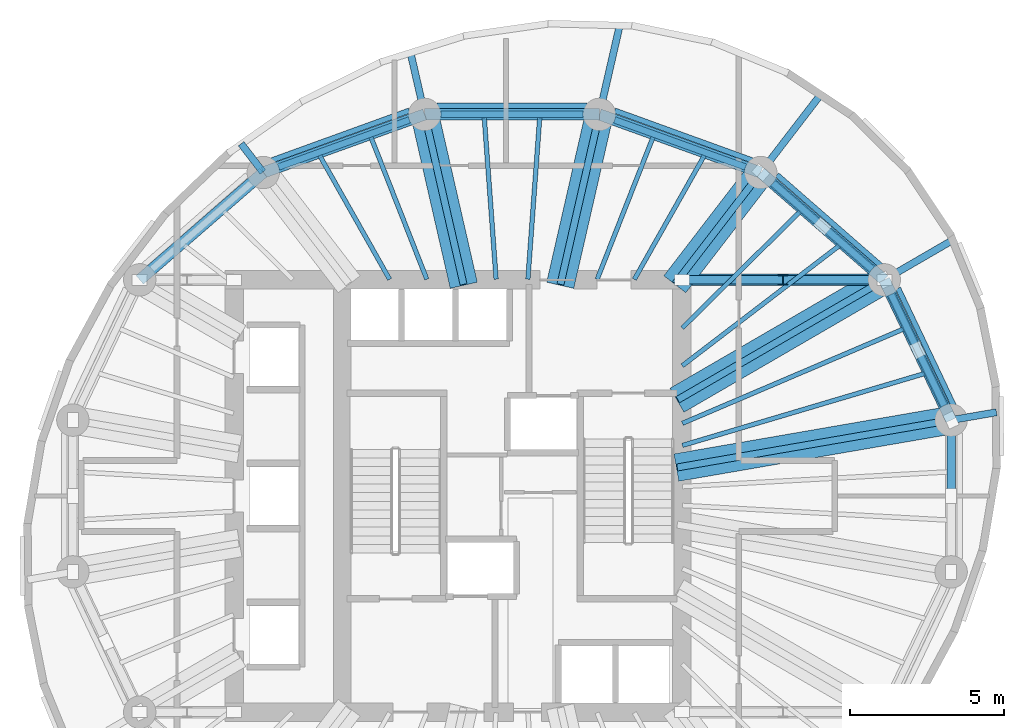
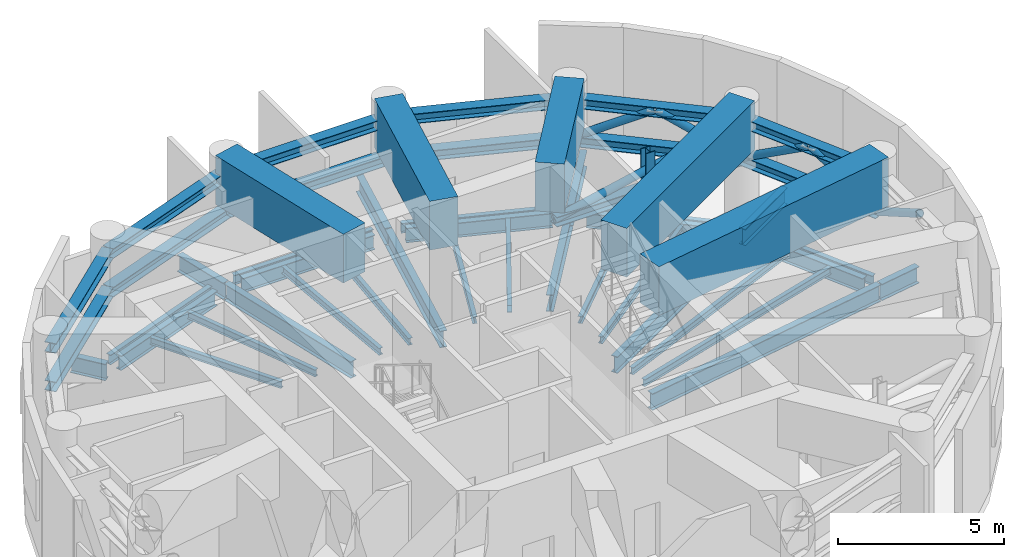
# One storey, part 3 of 8: 36 beams, 20 members.
"""IFC4 building model written with IfcOpenShell, lengths in metres."""

from ifc_helpers import new_model, si_unit, direction, frame, origin, origin_2d, place, context, subcontext, project, spatial, rectangle, hollow_circle, i_section, extrude, material, material_profile, profile_set, type_object, element, save


model = new_model("IFC4")

# Units and contexts
model_context = context("Model", 3, precision=1e-05, world=origin(), true_north=direction((0.0, 1.0)))
body_context = subcontext(model_context, "Body", "Model", "MODEL_VIEW")
ifc_project = project(units=[si_unit("LENGTHUNIT", "METRE"), si_unit("AREAUNIT", "SQUARE_METRE"), si_unit("VOLUMEUNIT", "CUBIC_METRE"), si_unit("PLANEANGLEUNIT", "RADIAN"), si_unit("MASSUNIT", "GRAM", prefix="KILO")], contexts=[model_context])

# Site, building, storey
site_placement = place(None, origin())
site = spatial("IfcSite", under=ifc_project, at=site_placement, CompositionType="ELEMENT")
building_placement = place(site_placement, origin())
building = spatial("IfcBuilding", under=site, at=building_placement, Name="Veldorim Arch Residences", CompositionType="ELEMENT")
storey_placement = place(building_placement, frame((0.0, 0.0, 158.56005859375)))
storey = spatial("IfcBuildingStorey", under=building, at=storey_placement, Name="L47", CompositionType="ELEMENT", Elevation=158.56005859375)

# Beams
ifc_material_1 = material(Name="Concrete C50/60", Category="concrete")
ifc_material_profile_1 = material_profile(ifc_material_1, rectangle(XDim=0.89990234375, YDim=1.800048828125, at=origin_2d()), Name="RC_RECT_900x1800")
ifc_profile_set_1 = profile_set([ifc_material_profile_1], Name="Concrete C50/60")
beam_type_1 = type_object("IfcBeamType", Name="Reinforced Concrete TRANSFER GIRDER RC_RECT_900x1800", PredefinedType="USERDEFINED", material=ifc_profile_set_1)
beam_1_placement = place(storey_placement, frame((37.322509765625, 24.919921875, 3.579833984375), z_axis=(0.985389793052, 0.170314285219, 0.0), x_axis=(-0.170314285219, 0.985389793052, 0.0)))
element("IfcBeam", 1, at=beam_1_placement, inside=storey, type_object=beam_type_1, Name="L47 zone-setback radial transfer girder 01", ObjectType="TRANSFER GIRDER", PredefinedType="USERDEFINED", context=body_context, shape_type="SweptSolid", body=[
    extrude(rectangle(XDim=0.89990234375, YDim=1.800048828125, at=origin_2d()), origin(), (0.0, 0.0, 1.0), 9.03076171875),
])
beam_2_placement = place(storey_placement, frame((37.34423828125, 27.10302734375, 3.579833984375), z_axis=(0.864798199437, 0.502119581625, 0.0), x_axis=(-0.502119581625, 0.864798199437, 0.0)))
element("IfcBeam", 2, at=beam_2_placement, inside=storey, type_object=beam_type_1, Name="L47 zone-setback radial transfer girder 02", ObjectType="TRANSFER GIRDER", PredefinedType="USERDEFINED", context=body_context, shape_type="SweptSolid", body=[
    extrude(rectangle(XDim=0.89990234375, YDim=1.800048828125, at=origin_2d()), origin(), (0.0, 0.0, 1.0), 7.761474609375),
])
beam_3_placement = place(storey_placement, frame((37.27294921875, 30.857421875, 3.579833984375), z_axis=(0.609573781427, 0.792729339054, 0.0), x_axis=(-0.792729339054, 0.609573781427, 0.0)))
element("IfcBeam", 3, at=beam_3_placement, inside=storey, type_object=beam_type_1, Name="L47 zone-setback radial transfer girder 03", ObjectType="TRANSFER GIRDER", PredefinedType="USERDEFINED", context=body_context, shape_type="SweptSolid", body=[
    extrude(rectangle(XDim=0.89990234375, YDim=1.800048828125, at=origin_2d()), origin(), (0.0, 0.0, 1.0), 4.5654296875),
])
for number, where, z_axis, x_axis, name in (
    (4, (33.56201171875, 30.824462890625, 3.579833984375), (0.223169286535, 0.974779703086, 0.0), (-0.974779703086, 0.223169286535, 0.0), "L47 zone-setback radial transfer girder 04"),
    (5, (30.43798828125, 30.824462890625, 3.579833984375), (-0.223169286535, 0.974779703086, 0.0), (-0.974779703086, -0.223169286535, 0.0), "L47 zone-setback radial transfer girder 05"),
):
    element("IfcBeam", number, at=place(storey_placement, frame(where, z_axis=z_axis, x_axis=x_axis)), inside=storey, type_object=beam_type_1, Name=name, ObjectType="TRANSFER GIRDER", PredefinedType="USERDEFINED", context=body_context, shape_type="SweptSolid", body=[
        extrude(rectangle(XDim=0.89990234375, YDim=1.800048828125, at=origin_2d()), origin(), (0.0, 0.0, 1.0), 5.676513671875),
    ])
ifc_material_2 = material(Name="Steel S355", Category="steel")
ifc_material_profile_2 = material_profile(ifc_material_2, i_section(OverallWidth=0.2099609375, OverallDepth=0.53662109375, WebThickness=0.0107421875, FlangeThickness=0.017333984375, at=origin_2d()), Name="UB533x210x101")
ifc_profile_set_2 = profile_set([ifc_material_profile_2], Name="Steel S355")
beam_type_2 = type_object("IfcBeamType", Name="Structural Steel Beam UB533x210x101", PredefinedType="BEAM", material=ifc_profile_set_2)
beam_4_placement = place(storey_placement, frame((45.99560546875, 26.931884765625, -0.66845703125), z_axis=(-0.43028577851, 0.902692721147, 0.0), x_axis=(-0.902692721147, -0.43028577851, 0.0)))
element("IfcBeam", 6, at=beam_4_placement, inside=storey, type_object=beam_type_2, Name="L47 perimeter ring tie beam 01", PredefinedType="BEAM", context=body_context, shape_type="SweptSolid", body=[
    extrude(i_section(OverallWidth=0.2099609375, OverallDepth=0.53662109375, WebThickness=0.0107421875, FlangeThickness=0.017333984375, at=origin_2d()), origin(), (0.0, 0.0, 1.0), 3.98193359375),
])
beam_5_placement = place(storey_placement, frame((43.659912109375, 31.344482421875, -0.66845703125), z_axis=(-0.754810789581, 0.655942582802, 0.0), x_axis=(-0.655942582802, -0.754810789581, 0.0)))
element("IfcBeam", 7, at=beam_5_placement, inside=storey, type_object=beam_type_2, Name="L47 perimeter ring tie beam 02", PredefinedType="BEAM", context=body_context, shape_type="SweptSolid", body=[
    extrude(i_section(OverallWidth=0.2099609375, OverallDepth=0.53662109375, WebThickness=0.0107421875, FlangeThickness=0.017333984375, at=origin_2d()), origin(), (0.0, 0.0, 1.0), 4.249755859375),
])
beam_6_placement = place(storey_placement, frame((39.561767578125, 34.654296875, -0.66845703125), z_axis=(-0.940899155006, 0.338686846673, 0.0), x_axis=(-0.338686846673, -0.940899155006, 0.0)))
element("IfcBeam", 8, at=beam_6_placement, inside=storey, type_object=beam_type_2, Name="L47 perimeter ring tie beam 03", PredefinedType="BEAM", context=body_context, shape_type="SweptSolid", body=[
    extrude(i_section(OverallWidth=0.2099609375, OverallDepth=0.53662109375, WebThickness=0.0107421875, FlangeThickness=0.017333984375, at=origin_2d()), origin(), (0.0, 0.0, 1.0), 4.50537109375),
])
beam_7_placement = place(storey_placement, frame((34.3037109375, 36.35791015625, -0.66845703125), z_axis=(-1.0, 0.0, 0.0), x_axis=(0.0, -1.0, 0.0)))
element("IfcBeam", 9, at=beam_7_placement, inside=storey, type_object=beam_type_2, Name="L47 perimeter ring tie beam 04", PredefinedType="BEAM", context=body_context, shape_type="SweptSolid", body=[
    extrude(i_section(OverallWidth=0.2099609375, OverallDepth=0.53662109375, WebThickness=0.0107421875, FlangeThickness=0.017333984375, at=origin_2d()), origin(), (0.0, 0.0, 1.0), 4.607421875),
])
beam_8_placement = place(storey_placement, frame((28.67724609375, 36.18017578125, -0.66845703125), z_axis=(-0.940899155006, -0.338686846673, 0.0), x_axis=(0.338686846673, -0.940899155006, 0.0)))
element("IfcBeam", 10, at=beam_8_placement, inside=storey, type_object=beam_type_2, Name="L47 perimeter ring tie beam 05", PredefinedType="BEAM", context=body_context, shape_type="SweptSolid", body=[
    extrude(i_section(OverallWidth=0.2099609375, OverallDepth=0.53662109375, WebThickness=0.0107421875, FlangeThickness=0.017333984375, at=origin_2d()), origin(), (0.0, 0.0, 1.0), 4.50537109375),
])
ifc_material_3 = material(Name="Steel S355", Category="steel")
ifc_material_profile_3 = material_profile(ifc_material_3, i_section(OverallWidth=0.22900390625, OverallDepth=0.6123046875, WebThickness=0.011962890625, FlangeThickness=0.01953125, at=origin_2d()), Name="UB610x229x125")
ifc_profile_set_3 = profile_set([ifc_material_profile_3], Name="Steel S355")
beam_type_3 = type_object("IfcBeamType", Name="Structural Steel Beam UB610x229x125", PredefinedType="BEAM", material=ifc_profile_set_3)
beam_9_placement = place(storey_placement, frame((37.352294921875, 24.925048828125, -0.7060546875), z_axis=(0.985389398766, 0.170316566427, 0.0), x_axis=(-0.170316566427, 0.985389398766, 0.0)))
element("IfcBeam", 11, at=beam_9_placement, inside=storey, type_object=beam_type_3, Name="L47 radial floor girder 01", PredefinedType="BEAM", context=body_context, shape_type="SweptSolid", body=[
    extrude(i_section(OverallWidth=0.22900390625, OverallDepth=0.6123046875, WebThickness=0.011962890625, FlangeThickness=0.01953125, at=origin_2d()), origin(), (0.0, 0.0, 1.0), 8.98046875),
])
beam_10_placement = place(storey_placement, frame((46.2412109375, 26.46142578125, -0.7060546875), z_axis=(0.98537946954, 0.170374003328, 0.0), x_axis=(-0.170374003328, 0.98537946954, 0.0)))
element("IfcBeam", 12, at=beam_10_placement, inside=storey, type_object=beam_type_3, Name="L47 radial edge cantilever girder 01", PredefinedType="BEAM", context=body_context, shape_type="SweptSolid", body=[
    extrude(i_section(OverallWidth=0.22900390625, OverallDepth=0.6123046875, WebThickness=0.011962890625, FlangeThickness=0.01953125, at=origin_2d()), origin(), (0.0, 0.0, 1.0), 1.47021484375),
])
beam_11_placement = place(storey_placement, frame((37.370361328125, 27.1181640625, -0.7060546875), z_axis=(0.864793381443, 0.502127879542, 0.0), x_axis=(-0.502127879542, 0.864793381443, 0.0)))
element("IfcBeam", 13, at=beam_11_placement, inside=storey, type_object=beam_type_3, Name="L47 radial floor girder 02", PredefinedType="BEAM", context=body_context, shape_type="SweptSolid", body=[
    extrude(i_section(OverallWidth=0.22900390625, OverallDepth=0.6123046875, WebThickness=0.011962890625, FlangeThickness=0.01953125, at=origin_2d()), origin(), (0.0, 0.0, 1.0), 7.71142578125),
])
beam_12_placement = place(storey_placement, frame((44.073486328125, 31.01025390625, -0.7060546875), z_axis=(0.86478358533, 0.502144750588, 0.0), x_axis=(-0.502144750588, 0.86478358533, 0.0)))
element("IfcBeam", 14, at=beam_12_placement, inside=storey, type_object=beam_type_3, Name="L47 radial edge cantilever girder 02", PredefinedType="BEAM", context=body_context, shape_type="SweptSolid", body=[
    extrude(i_section(OverallWidth=0.22900390625, OverallDepth=0.6123046875, WebThickness=0.011962890625, FlangeThickness=0.01953125, at=origin_2d()), origin(), (0.0, 0.0, 1.0), 2.551513671875),
])
beam_13_placement = place(storey_placement, frame((37.291259765625, 30.881103515625, -0.7060546875), z_axis=(0.609559199361, 0.792740551804, 0.0), x_axis=(-0.792740551804, 0.609559199361, 0.0)))
element("IfcBeam", 15, at=beam_13_placement, inside=storey, type_object=beam_type_3, Name="L47 radial floor girder 03", PredefinedType="BEAM", context=body_context, shape_type="SweptSolid", body=[
    extrude(i_section(OverallWidth=0.22900390625, OverallDepth=0.6123046875, WebThickness=0.011962890625, FlangeThickness=0.01953125, at=origin_2d()), origin(), (0.0, 0.0, 1.0), 4.515380859375),
])
beam_14_placement = place(storey_placement, frame((40.068115234375, 34.492431640625, -0.7060546875), z_axis=(0.609539396636, 0.79275577825, 0.0), x_axis=(-0.79275577825, 0.609539396636, 0.0)))
element("IfcBeam", 16, at=beam_14_placement, inside=storey, type_object=beam_type_3, Name="L47 radial edge cantilever girder 03", PredefinedType="BEAM", context=body_context, shape_type="SweptSolid", body=[
    extrude(i_section(OverallWidth=0.22900390625, OverallDepth=0.6123046875, WebThickness=0.011962890625, FlangeThickness=0.01953125, at=origin_2d()), origin(), (0.0, 0.0, 1.0), 3.16748046875),
])
beam_15_placement = place(storey_placement, frame((33.56884765625, 30.853759765625, -0.7060546875), z_axis=(0.223119342184, 0.974791136164, 0.0), x_axis=(-0.974791136164, 0.223119342184, 0.0)))
element("IfcBeam", 17, at=beam_15_placement, inside=storey, type_object=beam_type_3, Name="L47 radial floor girder 04", PredefinedType="BEAM", context=body_context, shape_type="SweptSolid", body=[
    extrude(i_section(OverallWidth=0.22900390625, OverallDepth=0.6123046875, WebThickness=0.011962890625, FlangeThickness=0.01953125, at=origin_2d()), origin(), (0.0, 0.0, 1.0), 5.62646484375),
])
beam_16_placement = place(storey_placement, frame((34.833251953125, 36.37744140625, -0.7060546875), z_axis=(0.223141787616, 0.974785998371, 0.0), x_axis=(-0.974785998371, 0.223141787616, 0.0)))
element("IfcBeam", 18, at=beam_16_placement, inside=storey, type_object=beam_type_3, Name="L47 radial edge cantilever girder 04", PredefinedType="BEAM", context=body_context, shape_type="SweptSolid", body=[
    extrude(i_section(OverallWidth=0.22900390625, OverallDepth=0.6123046875, WebThickness=0.011962890625, FlangeThickness=0.01953125, at=origin_2d()), origin(), (0.0, 0.0, 1.0), 2.94873046875),
])
beam_17_placement = place(storey_placement, frame((30.43115234375, 30.853759765625, -0.7060546875), z_axis=(-0.223119342184, 0.974791136164, 0.0), x_axis=(-0.974791136164, -0.223119342184, 0.0)))
element("IfcBeam", 19, at=beam_17_placement, inside=storey, type_object=beam_type_3, Name="L47 radial floor girder 05", PredefinedType="BEAM", context=body_context, shape_type="SweptSolid", body=[
    extrude(i_section(OverallWidth=0.22900390625, OverallDepth=0.6123046875, WebThickness=0.011962890625, FlangeThickness=0.01953125, at=origin_2d()), origin(), (0.0, 0.0, 1.0), 5.62646484375),
])
beam_18_placement = place(storey_placement, frame((29.166748046875, 36.37744140625, -0.7060546875), z_axis=(-0.223162872011, 0.974781171626, 0.0), x_axis=(-0.974781171626, -0.223162872011, 0.0)))
element("IfcBeam", 20, at=beam_18_placement, inside=storey, type_object=beam_type_3, Name="L47 radial edge cantilever girder 05", PredefinedType="BEAM", context=body_context, shape_type="SweptSolid", body=[
    extrude(i_section(OverallWidth=0.22900390625, OverallDepth=0.6123046875, WebThickness=0.011962890625, FlangeThickness=0.01953125, at=origin_2d()), origin(), (0.0, 0.0, 1.0), 2.039306640625),
])
beam_19_placement = place(storey_placement, frame((23.931884765625, 34.492431640625, -0.7060546875), z_axis=(-0.609526895481, 0.792765390065, 0.0), x_axis=(-0.792765390065, -0.609526895481, 0.0)))
element("IfcBeam", 21, at=beam_19_placement, inside=storey, type_object=beam_type_3, Name="L47 radial edge cantilever girder 06", PredefinedType="BEAM", context=body_context, shape_type="SweptSolid", body=[
    extrude(i_section(OverallWidth=0.22900390625, OverallDepth=0.6123046875, WebThickness=0.011962890625, FlangeThickness=0.01953125, at=origin_2d()), origin(), (0.0, 0.0, 1.0), 1.1552734375),
])
ifc_material_4 = material(Name="Steel S355", Category="steel")
ifc_material_profile_4 = material_profile(ifc_material_4, i_section(OverallWidth=0.146484375, OverallDepth=0.256103515625, WebThickness=0.00634765625, FlangeThickness=0.010986328125, at=origin_2d()), Name="UB254x146x37")
ifc_profile_set_4 = profile_set([ifc_material_profile_4], Name="Steel S355")
beam_type_4 = type_object("IfcBeamType", Name="Structural Steel Joist UB254x146x37", PredefinedType="JOIST", material=ifc_profile_set_4)
beam_20_placement = place(storey_placement, frame((37.519287109375, 25.63818359375, -0.528076171875), z_axis=(0.958674276305, 0.284505943614, 0.0), x_axis=(-0.284505943614, 0.958674276305, 0.0)))
element("IfcBeam", 22, at=beam_20_placement, inside=storey, type_object=beam_type_4, Name="L47 secondary radial floor joist 01-1", PredefinedType="JOIST", context=body_context, shape_type="SweptSolid", body=[
    extrude(i_section(OverallWidth=0.146484375, OverallDepth=0.256103515625, WebThickness=0.00634765625, FlangeThickness=0.010986328125, at=origin_2d()), origin(), (0.0, 0.0, 1.0), 8.2001953125),
])
beam_21_placement = place(storey_placement, frame((37.518310546875, 26.353515625, -0.528076171875), z_axis=(0.919831795434, 0.39231297214, 0.0), x_axis=(-0.39231297214, 0.919831795434, 0.0)))
element("IfcBeam", 23, at=beam_21_placement, inside=storey, type_object=beam_type_4, Name="L47 secondary radial floor joist 01-2", PredefinedType="JOIST", context=body_context, shape_type="SweptSolid", body=[
    extrude(i_section(OverallWidth=0.146484375, OverallDepth=0.256103515625, WebThickness=0.00634765625, FlangeThickness=0.010986328125, at=origin_2d()), origin(), (0.0, 0.0, 1.0), 7.798828125),
])
beam_22_placement = place(storey_placement, frame((37.515869140625, 28.219482421875, -0.528076171875), z_axis=(0.794267053144, 0.607568801281, 0.0), x_axis=(-0.607568801281, 0.794267053144, 0.0)))
element("IfcBeam", 24, at=beam_22_placement, inside=storey, type_object=beam_type_4, Name="L47 secondary radial floor joist 02-1", PredefinedType="JOIST", context=body_context, shape_type="SweptSolid", body=[
    extrude(i_section(OverallWidth=0.146484375, OverallDepth=0.256103515625, WebThickness=0.00634765625, FlangeThickness=0.010986328125, at=origin_2d()), origin(), (0.0, 0.0, 1.0), 6.412841796875),
])
beam_23_placement = place(storey_placement, frame((37.51416015625, 29.443115234375, -0.528076171875), z_axis=(0.711703457158, 0.702480027523, 0.0), x_axis=(-0.702480027523, 0.711703457158, 0.0)))
element("IfcBeam", 25, at=beam_23_placement, inside=storey, type_object=beam_type_4, Name="L47 secondary radial floor joist 02-2", PredefinedType="JOIST", context=body_context, shape_type="SweptSolid", body=[
    extrude(i_section(OverallWidth=0.146484375, OverallDepth=0.256103515625, WebThickness=0.00634765625, FlangeThickness=0.010986328125, at=origin_2d()), origin(), (0.0, 0.0, 1.0), 5.373291015625),
])
beam_24_placement = place(storey_placement, frame((35.96337890625, 31.017333984375, -0.528076171875), z_axis=(0.491815801586, 0.870699269157, 0.0), x_axis=(-0.870699269157, 0.491815801586, 0.0)))
element("IfcBeam", 26, at=beam_24_placement, inside=storey, type_object=beam_type_4, Name="L47 secondary radial floor joist 03-1", PredefinedType="JOIST", context=body_context, shape_type="SweptSolid", body=[
    extrude(i_section(OverallWidth=0.146484375, OverallDepth=0.256103515625, WebThickness=0.00634765625, FlangeThickness=0.010986328125, at=origin_2d()), origin(), (0.0, 0.0, 1.0), 4.59814453125),
])
beam_25_placement = place(storey_placement, frame((34.7587890625, 31.0185546875, -0.528076171875), z_axis=(0.365777738491, 0.930702232739, 0.0), x_axis=(-0.930702232739, 0.365777738491, 0.0)))
element("IfcBeam", 27, at=beam_25_placement, inside=storey, type_object=beam_type_4, Name="L47 secondary radial floor joist 03-2", PredefinedType="JOIST", context=body_context, shape_type="SweptSolid", body=[
    extrude(i_section(OverallWidth=0.146484375, OverallDepth=0.256103515625, WebThickness=0.00634765625, FlangeThickness=0.010986328125, at=origin_2d()), origin(), (0.0, 0.0, 1.0), 4.9404296875),
])
for number, where, z_axis, x_axis, name in (
    (28, (32.51416015625, 31.02001953125, -0.528076171875), (0.073060364166, 0.997327520521, 0.0), (-0.997327520521, 0.073060364166, 0.0), "L47 secondary radial floor joist 04-1"),
    (29, (31.48583984375, 31.02001953125, -0.528076171875), (-0.073060364166, 0.997327520521, 0.0), (-0.997327520521, -0.073060364166, 0.0), "L47 secondary radial floor joist 04-2"),
):
    element("IfcBeam", number, at=place(storey_placement, frame(where, z_axis=z_axis, x_axis=x_axis)), inside=storey, type_object=beam_type_4, Name=name, PredefinedType="JOIST", context=body_context, shape_type="SweptSolid", body=[
        extrude(i_section(OverallWidth=0.146484375, OverallDepth=0.256103515625, WebThickness=0.00634765625, FlangeThickness=0.010986328125, at=origin_2d()), origin(), (0.0, 0.0, 1.0), 5.242919921875),
    ])
beam_26_placement = place(storey_placement, frame((29.2412109375, 31.0185546875, -0.528076171875), z_axis=(-0.365777738491, 0.930702232739, 0.0), x_axis=(-0.930702232739, -0.365777738491, 0.0)))
element("IfcBeam", 30, at=beam_26_placement, inside=storey, type_object=beam_type_4, Name="L47 secondary radial floor joist 05-1", PredefinedType="JOIST", context=body_context, shape_type="SweptSolid", body=[
    extrude(i_section(OverallWidth=0.146484375, OverallDepth=0.256103515625, WebThickness=0.00634765625, FlangeThickness=0.010986328125, at=origin_2d()), origin(), (0.0, 0.0, 1.0), 4.9404296875),
])
beam_27_placement = place(storey_placement, frame((28.03662109375, 31.017333984375, -0.528076171875), z_axis=(-0.491815801586, 0.870699269157, 0.0), x_axis=(-0.870699269157, -0.491815801586, 0.0)))
element("IfcBeam", 31, at=beam_27_placement, inside=storey, type_object=beam_type_4, Name="L47 secondary radial floor joist 05-2", PredefinedType="JOIST", context=body_context, shape_type="SweptSolid", body=[
    extrude(i_section(OverallWidth=0.146484375, OverallDepth=0.256103515625, WebThickness=0.00634765625, FlangeThickness=0.010986328125, at=origin_2d()), origin(), (0.0, 0.0, 1.0), 4.59814453125),
])
ifc_material_5 = material(Name="Steel S355", Category="steel")
ifc_material_profile_5 = material_profile(ifc_material_5, i_section(OverallWidth=0.172119140625, OverallDepth=0.35791015625, WebThickness=0.008056640625, FlangeThickness=0.012939453125, at=origin_2d()), Name="UB356x171x57")
ifc_profile_set_5 = profile_set([ifc_material_profile_5], Name="Steel S355")
beam_type_5 = type_object("IfcBeamType", Name="Structural Steel Spandrel UB356x171x57", PredefinedType="SPANDREL", material=ifc_profile_set_5)
beam_28_placement = place(storey_placement, frame((46.307861328125, 26.9248046875, -0.59912109375), z_axis=(-0.428579957662, 0.903503857153, 0.0), x_axis=(-0.903503857153, -0.428579957662, 0.0)))
element("IfcBeam", 32, at=beam_28_placement, inside=storey, type_object=beam_type_5, Name="L47 perimeter chord spandrel beam 01", PredefinedType="SPANDREL", context=body_context, shape_type="SweptSolid", body=[
    extrude(i_section(OverallWidth=0.172119140625, OverallDepth=0.35791015625, WebThickness=0.008056640625, FlangeThickness=0.012939453125, at=origin_2d()), origin(), (0.0, 0.0, 1.0), 4.209228515625),
])
beam_29_placement = place(storey_placement, frame((43.9580078125, 31.44921875, -0.59912109375), z_axis=(-0.753014748982, 0.658003638148, 0.0), x_axis=(-0.658003638148, -0.753014748982, 0.0)))
element("IfcBeam", 33, at=beam_29_placement, inside=storey, type_object=beam_type_5, Name="L47 perimeter chord spandrel beam 02", PredefinedType="SPANDREL", context=body_context, shape_type="SweptSolid", body=[
    extrude(i_section(OverallWidth=0.172119140625, OverallDepth=0.35791015625, WebThickness=0.008056640625, FlangeThickness=0.012939453125, at=origin_2d()), origin(), (0.0, 0.0, 1.0), 4.486572265625),
])
beam_30_placement = place(storey_placement, frame((39.79736328125, 34.86279296875, -0.59912109375), z_axis=(-0.940212553113, 0.340588248429, 0.0), x_axis=(-0.340588248429, -0.940212553113, 0.0)))
element("IfcBeam", 34, at=beam_30_placement, inside=storey, type_object=beam_type_5, Name="L47 perimeter chord spandrel beam 03", PredefinedType="SPANDREL", context=body_context, shape_type="SweptSolid", body=[
    extrude(i_section(OverallWidth=0.172119140625, OverallDepth=0.35791015625, WebThickness=0.008056640625, FlangeThickness=0.012939453125, at=origin_2d()), origin(), (0.0, 0.0, 1.0), 4.75390625),
])
beam_31_placement = place(storey_placement, frame((34.43115234375, 36.639404296875, -0.59912109375), z_axis=(-1.0, 0.0, 0.0), x_axis=(0.0, -1.0, 0.0)))
element("IfcBeam", 35, at=beam_31_placement, inside=storey, type_object=beam_type_5, Name="L47 perimeter chord spandrel beam 04", PredefinedType="SPANDREL", context=body_context, shape_type="SweptSolid", body=[
    extrude(i_section(OverallWidth=0.172119140625, OverallDepth=0.35791015625, WebThickness=0.008056640625, FlangeThickness=0.012939453125, at=origin_2d()), origin(), (0.0, 0.0, 1.0), 4.8623046875),
])
beam_32_placement = place(storey_placement, frame((28.67236328125, 36.48193359375, -0.59912109375), z_axis=(-0.940212553113, -0.340588248429, 0.0), x_axis=(0.340588248429, -0.940212553113, 0.0)))
element("IfcBeam", 36, at=beam_32_placement, inside=storey, type_object=beam_type_5, Name="L47 perimeter chord spandrel beam 05", PredefinedType="SPANDREL", context=body_context, shape_type="SweptSolid", body=[
    extrude(i_section(OverallWidth=0.172119140625, OverallDepth=0.35791015625, WebThickness=0.008056640625, FlangeThickness=0.012939453125, at=origin_2d()), origin(), (0.0, 0.0, 1.0), 4.75390625),
])

# Members
ifc_material_6 = material(Name="Steel S460", Category="steel")
ifc_material_profile_6 = material_profile(ifc_material_6, hollow_circle(Radius=0.136474609375, WallThickness=0.01611328125, at=origin_2d()), Name="CHS273x16")
ifc_profile_set_6 = profile_set([ifc_material_profile_6], Name="Steel S460")
member_type_1 = type_object("IfcMemberType", Name="Truss Brace CHS273x16", PredefinedType="BRACE", material=ifc_profile_set_6)
member_1_placement = place(storey_placement, frame((46.221435546875, 26.4580078125, 2.239990234375), z_axis=(-0.374698548203, 0.786157102826, 0.49148551113), x_axis=(-0.902709800197, -0.430249946692, 0.0)))
element("IfcMember", 37, at=member_1_placement, inside=storey, type_object=member_type_1, Name="L47 belt truss chevron brace 01A", PredefinedType="BRACE", context=body_context, shape_type="SweptSolid", body=[
    extrude(hollow_circle(Radius=0.136474609375, WallThickness=0.01611328125, at=origin_2d()), origin(), (0.0, 0.0, 1.0), 2.88916015625),
])
member_2_placement = place(storey_placement, frame((44.056396484375, 31.000244140625, 2.239990234375), z_axis=(0.374723442371, -0.786124822041, 0.491518164373), x_axis=(0.902691835336, 0.43028763684, 0.0)))
element("IfcMember", 38, at=member_2_placement, inside=storey, type_object=member_type_1, Name="L47 belt truss chevron brace 01B", PredefinedType="BRACE", context=body_context, shape_type="SweptSolid", body=[
    extrude(hollow_circle(Radius=0.136474609375, WallThickness=0.01611328125, at=origin_2d()), origin(), (0.0, 0.0, 1.0), 2.888916015625),
])
member_3_placement = place(storey_placement, frame((44.056396484375, 31.000244140625, 2.239990234375), z_axis=(-0.665392824184, 0.578097573269, 0.472287608672), x_axis=(-0.655852490145, -0.754889072096, 0.0)))
element("IfcMember", 39, at=member_3_placement, inside=storey, type_object=member_type_1, Name="L47 belt truss chevron brace 02A", PredefinedType="BRACE", context=body_context, shape_type="SweptSolid", body=[
    extrude(hollow_circle(Radius=0.136474609375, WallThickness=0.01611328125, at=origin_2d()), origin(), (0.0, 0.0, 1.0), 3.006591796875),
])
member_4_placement = place(storey_placement, frame((40.055908203125, 34.4765625, 2.239990234375), z_axis=(0.665271067353, -0.578214111274, 0.47231647067), x_axis=(0.655996212303, 0.754764181347, 0.0)))
element("IfcMember", 40, at=member_4_placement, inside=storey, type_object=member_type_1, Name="L47 belt truss chevron brace 02B", PredefinedType="BRACE", context=body_context, shape_type="SweptSolid", body=[
    extrude(hollow_circle(Radius=0.136474609375, WallThickness=0.01611328125, at=origin_2d()), origin(), (0.0, 0.0, 1.0), 3.00634765625),
])
member_5_placement = place(storey_placement, frame((46.221435546875, 26.4580078125, 2.239990234375), z_axis=(0.0, -0.865904809514, 0.500208817256), x_axis=(1.0, 0.0, 0.0)))
element("IfcMember", 41, at=member_5_placement, inside=storey, type_object=member_type_1, Name="L47 belt truss chevron brace 16B", PredefinedType="BRACE", context=body_context, shape_type="SweptSolid", body=[
    extrude(hollow_circle(Radius=0.136474609375, WallThickness=0.01611328125, at=origin_2d()), origin(), (0.0, 0.0, 1.0), 2.838623046875),
])
member_6_placement = place(storey_placement, frame((37.5, 31.0, 2.239990234375), z_axis=(0.977342592017, 3.6393319e-05, 0.211663545529), x_axis=(-3.7237014e-05, 0.999999999307, 0.0)))
element("IfcMember", 42, at=member_6_placement, inside=storey, type_object=member_type_1, Name="L47 outrigger truss diagonal 02", PredefinedType="BRACE", context=body_context, shape_type="SweptSolid", body=[
    extrude(hollow_circle(Radius=0.136474609375, WallThickness=0.01611328125, at=origin_2d()), origin(), (0.0, 0.0, 1.0), 6.70849609375),
])
ifc_material_7 = material(Name="Steel S460", Category="steel")
ifc_material_profile_7 = material_profile(ifc_material_7, i_section(OverallWidth=0.37060546875, OverallDepth=0.362060546875, WebThickness=0.01220703125, FlangeThickness=0.020751953125, at=origin_2d()), Name="UC356x368x153")
ifc_profile_set_7 = profile_set([ifc_material_profile_7], Name="Steel S460")
member_type_2 = type_object("IfcMemberType", Name="Truss Chord UC356x368x153", PredefinedType="CHORD", material=ifc_profile_set_7)
for number, where, z_axis, x_axis, name in (
    (43, (46.221435546875, 26.4580078125, 2.239990234375), (-0.430268791034, 0.902700818357, 0.0), (-0.902700818357, -0.430268791034, 0.0), "L47 belt truss bottom chord 01"),
    (44, (46.221435546875, 26.4580078125, 3.659912109375), (-0.430268791034, 0.902700818357, 0.0), (-0.902700818357, -0.430268791034, 0.0), "L47 belt truss top chord 01"),
):
    element("IfcMember", number, at=place(storey_placement, frame(where, z_axis=z_axis, x_axis=x_axis)), inside=storey, type_object=member_type_2, Name=name, PredefinedType="CHORD", context=body_context, shape_type="SweptSolid", body=[
        extrude(i_section(OverallWidth=0.37060546875, OverallDepth=0.362060546875, WebThickness=0.01220703125, FlangeThickness=0.020751953125, at=origin_2d()), origin(), (0.0, 0.0, 1.0), 5.03173828125),
    ])
for number, where, z_axis, x_axis, name in (
    (45, (44.056396484375, 31.000244140625, 2.239990234375), (-0.754826632598, 0.655924351371, 0.0), (-0.655924351371, -0.754826632598, 0.0), "L47 belt truss bottom chord 02"),
    (46, (44.056396484375, 31.000244140625, 3.659912109375), (-0.754826632598, 0.655924351371, 0.0), (-0.655924351371, -0.754826632598, 0.0), "L47 belt truss top chord 02"),
):
    element("IfcMember", number, at=place(storey_placement, frame(where, z_axis=z_axis, x_axis=x_axis)), inside=storey, type_object=member_type_2, Name=name, PredefinedType="CHORD", context=body_context, shape_type="SweptSolid", body=[
        extrude(i_section(OverallWidth=0.37060546875, OverallDepth=0.362060546875, WebThickness=0.01220703125, FlangeThickness=0.020751953125, at=origin_2d()), origin(), (0.0, 0.0, 1.0), 5.2998046875),
    ])
for number, where, z_axis, x_axis, name in (
    (47, (40.055908203125, 34.4765625, 2.239990234375), (-0.940909819153, 0.338657219355, 0.0), (-0.338657219355, -0.940909819153, 0.0), "L47 belt truss bottom chord 03"),
    (48, (40.055908203125, 34.4765625, 3.659912109375), (-0.940909819153, 0.338657219355, 0.0), (-0.338657219355, -0.940909819153, 0.0), "L47 belt truss top chord 03"),
):
    element("IfcMember", number, at=place(storey_placement, frame(where, z_axis=z_axis, x_axis=x_axis)), inside=storey, type_object=member_type_2, Name=name, PredefinedType="CHORD", context=body_context, shape_type="SweptSolid", body=[
        extrude(i_section(OverallWidth=0.37060546875, OverallDepth=0.362060546875, WebThickness=0.01220703125, FlangeThickness=0.020751953125, at=origin_2d()), origin(), (0.0, 0.0, 1.0), 5.555419921875),
    ])
for number, where, z_axis, x_axis, name in (
    (49, (34.828857421875, 36.35791015625, 2.239990234375), (-1.0, 0.0, 0.0), (0.0, -1.0, 0.0), "L47 belt truss bottom chord 04"),
    (50, (34.828857421875, 36.35791015625, 3.659912109375), (-1.0, 0.0, 0.0), (0.0, -1.0, 0.0), "L47 belt truss top chord 04"),
):
    element("IfcMember", number, at=place(storey_placement, frame(where, z_axis=z_axis, x_axis=x_axis)), inside=storey, type_object=member_type_2, Name=name, PredefinedType="CHORD", context=body_context, shape_type="SweptSolid", body=[
        extrude(i_section(OverallWidth=0.37060546875, OverallDepth=0.362060546875, WebThickness=0.01220703125, FlangeThickness=0.020751953125, at=origin_2d()), origin(), (0.0, 0.0, 1.0), 5.65771484375),
    ])
for number, where, z_axis, x_axis, name in (
    (51, (29.171142578125, 36.35791015625, 2.239990234375), (-0.940909819153, -0.338657219355, 0.0), (0.338657219355, -0.940909819153, 0.0), "L47 belt truss bottom chord 05"),
    (52, (29.171142578125, 36.35791015625, 3.659912109375), (-0.940909819153, -0.338657219355, 0.0), (0.338657219355, -0.940909819153, 0.0), "L47 belt truss top chord 05"),
):
    element("IfcMember", number, at=place(storey_placement, frame(where, z_axis=z_axis, x_axis=x_axis)), inside=storey, type_object=member_type_2, Name=name, PredefinedType="CHORD", context=body_context, shape_type="SweptSolid", body=[
        extrude(i_section(OverallWidth=0.37060546875, OverallDepth=0.362060546875, WebThickness=0.01220703125, FlangeThickness=0.020751953125, at=origin_2d()), origin(), (0.0, 0.0, 1.0), 5.555419921875),
    ])
for number, where, z_axis, x_axis, name in (
    (53, (23.944091796875, 34.4765625, 2.239990234375), (-0.754826632598, -0.655924351371, 0.0), (0.655924351371, -0.754826632598, 0.0), "L47 belt truss bottom chord 06"),
    (54, (23.944091796875, 34.4765625, 3.659912109375), (-0.754826632598, -0.655924351371, 0.0), (0.655924351371, -0.754826632598, 0.0), "L47 belt truss top chord 06"),
):
    element("IfcMember", number, at=place(storey_placement, frame(where, z_axis=z_axis, x_axis=x_axis)), inside=storey, type_object=member_type_2, Name=name, PredefinedType="CHORD", context=body_context, shape_type="SweptSolid", body=[
        extrude(i_section(OverallWidth=0.37060546875, OverallDepth=0.362060546875, WebThickness=0.01220703125, FlangeThickness=0.020751953125, at=origin_2d()), origin(), (0.0, 0.0, 1.0), 5.2998046875),
    ])
member_7_placement = place(storey_placement, frame((37.5, 31.0, 2.239990234375), z_axis=(0.999999999307, 3.7237014e-05, 0.0), x_axis=(-3.7237014e-05, 0.999999999307, 0.0)))
element("IfcMember", 55, at=member_7_placement, inside=storey, type_object=member_type_2, Name="L47 outrigger truss bottom chord 02", PredefinedType="CHORD", context=body_context, shape_type="SweptSolid", body=[
    extrude(i_section(OverallWidth=0.37060546875, OverallDepth=0.362060546875, WebThickness=0.01220703125, FlangeThickness=0.020751953125, at=origin_2d()), origin(), (0.0, 0.0, 1.0), 6.556396484375),
])
ifc_material_8 = material(Name="Steel S460", Category="steel")
ifc_material_profile_8 = material_profile(ifc_material_8, i_section(OverallWidth=0.311279296875, OverallDepth=0.3271484375, WebThickness=0.015869140625, FlangeThickness=0.02490234375, at=origin_2d()), Name="UC305x305x158")
ifc_profile_set_8 = profile_set([ifc_material_profile_8], Name="Steel S460")
member_type_3 = type_object("IfcMemberType", Name="Truss Post UC305x305x158", PredefinedType="POST", material=ifc_profile_set_8)
member_8_placement = place(storey_placement, frame((40.778076171875, 31.0, 2.239990234375), z_axis=(0.0, 0.0, 1.0), x_axis=(1.0, 0.0, 0.0)))
element("IfcMember", 56, at=member_8_placement, inside=storey, type_object=member_type_3, Name="L47 outrigger truss mid-post 02", PredefinedType="POST", context=body_context, shape_type="SweptSolid", body=[
    extrude(i_section(OverallWidth=0.311279296875, OverallDepth=0.3271484375, WebThickness=0.015869140625, FlangeThickness=0.02490234375, at=origin_2d()), origin(), (0.0, 0.0, 1.0), 1.419921875),
])

save(model, "model.ifc")
